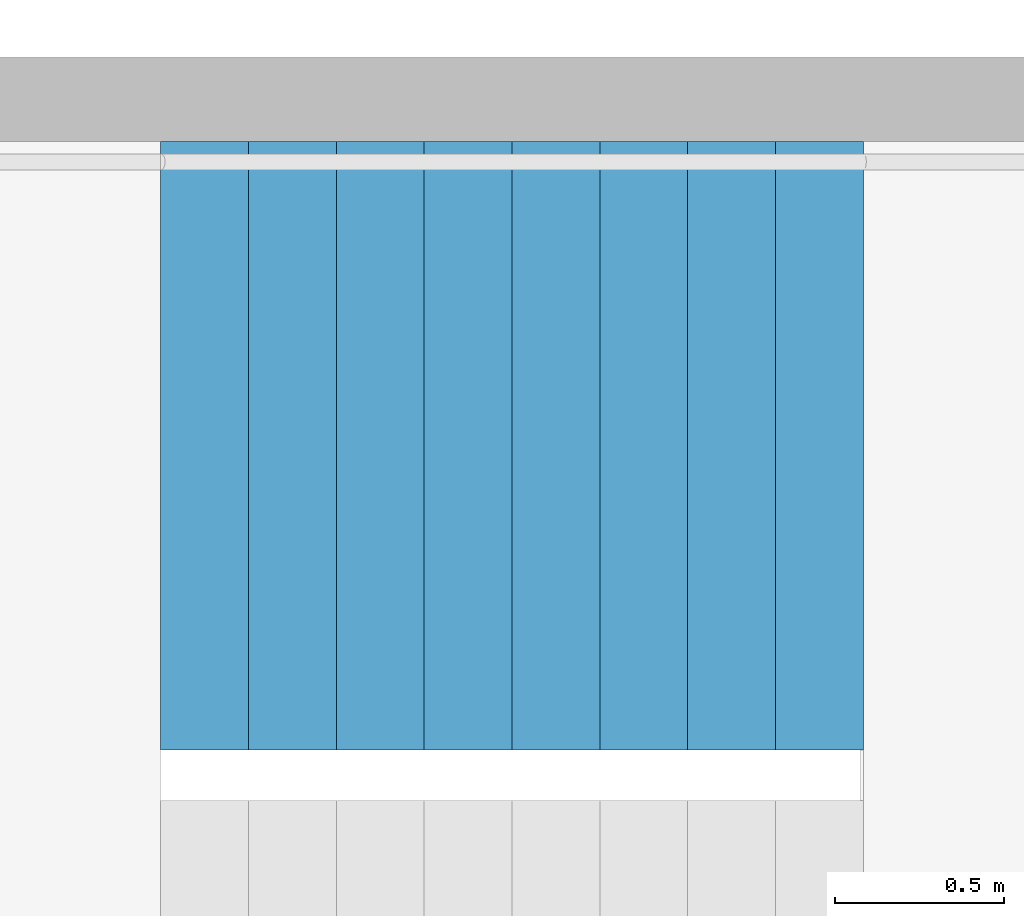
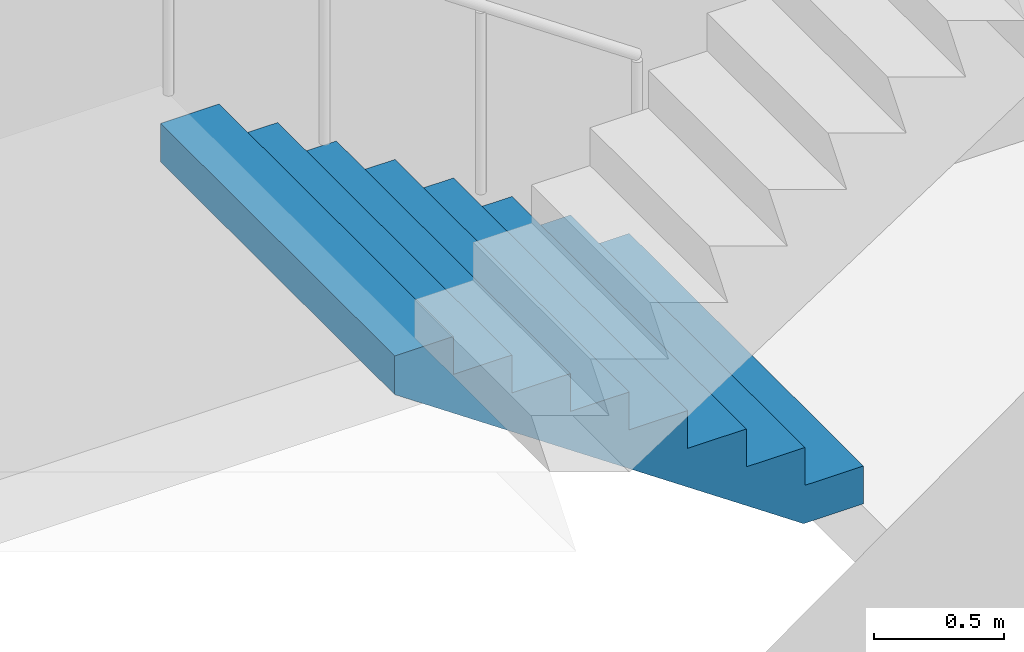
# One storey, part 19 of 44: 1 stair flight, 1 element without a shape of its own.
"""IFC4 building model written with IfcOpenShell, lengths in metres."""

from ifc_helpers import new_model, si_unit, direction, frame, origin, place, context, subcontext, project, spatial, triangles, material, type_object, element, aggregate, save


model = new_model("IFC4")

# Units and contexts
model_context = context("Model", 3, precision=1e-05, world=origin(), true_north=direction((0.0, 1.0)))
body_context = subcontext(model_context, "Body", "Model", "MODEL_VIEW")
ifc_project = project(units=[si_unit("LENGTHUNIT", "METRE"), si_unit("AREAUNIT", "SQUARE_METRE"), si_unit("VOLUMEUNIT", "CUBIC_METRE"), si_unit("PLANEANGLEUNIT", "RADIAN"), si_unit("MASSUNIT", "GRAM", prefix="KILO")], contexts=[model_context])

# Site, building, storey
site_placement = place(None, origin())
site = spatial("IfcSite", under=ifc_project, at=site_placement, CompositionType="ELEMENT")
building_placement = place(site_placement, origin())
building = spatial("IfcBuilding", under=site, at=building_placement, Name="Hakoniwa Tower and Hamabe Station Hall", CompositionType="ELEMENT")
storey_placement = place(building_placement, frame((0.0, 0.0, 69.0)))
storey = spatial("IfcBuildingStorey", under=building, at=storey_placement, Name="L19", CompositionType="ELEMENT", Elevation=69.0)

# Stair, stair flight
ifc_material_1 = material(Name="Concrete C40", Category="concrete")
stair_type = type_object("IfcStairType", Name="ESCAPE STAIR 1800", PredefinedType="HALF_TURN_STAIR", material=ifc_material_1)
stair_placement = place(storey_placement, origin())
stair = element("IfcStair", 1, at=stair_placement, inside=storey, type_object=stair_type, Name="Escape stair ST-2 L19", PredefinedType="HALF_TURN_STAIR")
ifc_material_2 = material(Name="Concrete C40", Category="concrete")
stair_flight_type = type_object("IfcStairFlightType", Name="STAIR FLIGHT 1800", PredefinedType="STRAIGHT", material=ifc_material_2)
stair_flight_placement = place(storey_placement, frame((-23.39990234375, -4.64990234375, 0.0), z_axis=(0.0, 0.0, 1.0), x_axis=(-1.0, 0.0, 0.0)))
stair_flight = element("IfcStairFlight", 2, at=stair_flight_placement, type_object=stair_flight_type, Name="ST-2 flight 1", NumberOfRisers=9, NumberOfTreads=8, PredefinedType="STRAIGHT", RiserHeight=0.177777778, TreadLength=0.26, context=body_context, shape_type="Tessellation", body=[
    triangles([(0.0, 0.89990234375, 0.0), (0.260009765625, 0.89990234375, 0.0), (0.265625, 0.89990234375, 0.0), (0.52001953125, 0.89990234375, 0.174072265625), (0.780029296875, 0.89990234375, 0.351806640625), (1.0400390625, 0.89990234375, 0.529541015625), (1.300048828125, 0.89990234375, 0.707275390625), (1.56005859375, 0.89990234375, 0.885009765625), (1.820068359375, 0.89990234375, 1.062744140625), (2.080078125, 0.89990234375, 1.24072265625), (2.080078125, 0.89990234375, 1.422119140625), (1.820068359375, 0.89990234375, 1.422119140625), (1.820068359375, 0.89990234375, 1.244384765625), (1.56005859375, 0.89990234375, 1.244384765625), (1.56005859375, 0.89990234375, 1.066650390625), (1.300048828125, 0.89990234375, 1.066650390625), (1.300048828125, 0.89990234375, 0.888916015625), (1.0400390625, 0.89990234375, 0.888916015625), (1.0400390625, 0.89990234375, 0.711181640625), (0.780029296875, 0.89990234375, 0.711181640625), (0.780029296875, 0.89990234375, 0.533447265625), (0.52001953125, 0.89990234375, 0.533447265625), (0.52001953125, 0.89990234375, 0.35546875), (0.265625, 0.89990234375, 0.35546875), (0.260009765625, 0.89990234375, 0.35546875), (0.260009765625, 0.89990234375, 0.177734375), (0.0, 0.89990234375, 0.177734375), (0.0, 0.06005859375, 0.0), (0.260009765625, 0.06005859375, 0.0), (0.265625, 0.06005859375, 0.0), (0.52001953125, 0.06005859375, 0.174072265625), (0.780029296875, 0.06005859375, 0.351806640625), (1.0400390625, 0.06005859375, 0.529541015625), (1.300048828125, 0.06005859375, 0.707275390625), (1.56005859375, 0.06005859375, 0.885009765625), (1.820068359375, 0.06005859375, 1.062744140625), (2.080078125, 0.06005859375, 1.24072265625), (2.080078125, 0.06005859375, 1.422119140625), (1.820068359375, 0.06005859375, 1.422119140625), (1.820068359375, 0.06005859375, 1.244384765625), (1.56005859375, 0.06005859375, 1.244384765625), (1.56005859375, 0.06005859375, 1.066650390625), (1.300048828125, 0.06005859375, 1.066650390625), (1.300048828125, 0.06005859375, 0.888916015625), (1.0400390625, 0.06005859375, 0.888916015625), (1.0400390625, 0.06005859375, 0.711181640625), (0.780029296875, 0.06005859375, 0.711181640625), (0.780029296875, 0.06005859375, 0.533447265625), (0.52001953125, 0.06005859375, 0.533447265625), (0.52001953125, 0.06005859375, 0.35546875), (0.265625, 0.06005859375, 0.35546875), (0.260009765625, 0.06005859375, 0.35546875), (0.260009765625, 0.06005859375, 0.177734375), (0.0, 0.06005859375, 0.177734375), (0.0, 0.04296875, 0.0), (0.260009765625, 0.04296875, 0.0), (0.265625, 0.04296875, 0.0), (0.52001953125, 0.04296875, 0.174072265625), (0.780029296875, 0.04296875, 0.351806640625), (1.0400390625, 0.04296875, 0.529541015625), (1.300048828125, 0.04296875, 0.707275390625), (1.56005859375, 0.04296875, 0.885009765625), (1.820068359375, 0.04296875, 1.062744140625), (2.080078125, 0.04296875, 1.24072265625), (2.080078125, 0.04296875, 1.422119140625), (1.820068359375, 0.04296875, 1.422119140625), (1.820068359375, 0.04296875, 1.244384765625), (1.56005859375, 0.04296875, 1.244384765625), (1.56005859375, 0.04296875, 1.066650390625), (1.300048828125, 0.04296875, 1.066650390625), (1.300048828125, 0.04296875, 0.888916015625), (1.0400390625, 0.04296875, 0.888916015625), (1.0400390625, 0.04296875, 0.711181640625), (0.780029296875, 0.04296875, 0.711181640625), (0.780029296875, 0.04296875, 0.533447265625), (0.52001953125, 0.04296875, 0.533447265625), (0.52001953125, 0.04296875, 0.35546875), (0.265625, 0.04296875, 0.35546875), (0.260009765625, 0.04296875, 0.35546875), (0.260009765625, 0.04296875, 0.177734375), (0.0, 0.04296875, 0.177734375), (0.0, 0.025634765625, 0.0), (0.260009765625, 0.025634765625, 0.0), (0.265625, 0.025634765625, 0.0), (0.52001953125, 0.025634765625, 0.174072265625), (0.780029296875, 0.025634765625, 0.351806640625), (1.0400390625, 0.025634765625, 0.529541015625), (1.300048828125, 0.025634765625, 0.707275390625), (1.56005859375, 0.025634765625, 0.885009765625), (1.820068359375, 0.025634765625, 1.062744140625), (2.080078125, 0.025634765625, 1.24072265625), (2.080078125, 0.025634765625, 1.422119140625), (1.820068359375, 0.025634765625, 1.422119140625), (1.820068359375, 0.025634765625, 1.244384765625), (1.56005859375, 0.025634765625, 1.244384765625), (1.56005859375, 0.025634765625, 1.066650390625), (1.300048828125, 0.025634765625, 1.066650390625), (1.300048828125, 0.025634765625, 0.888916015625), (1.0400390625, 0.025634765625, 0.888916015625), (1.0400390625, 0.025634765625, 0.711181640625), (0.780029296875, 0.025634765625, 0.711181640625), (0.780029296875, 0.025634765625, 0.533447265625), (0.52001953125, 0.025634765625, 0.533447265625), (0.52001953125, 0.025634765625, 0.35546875), (0.265625, 0.025634765625, 0.35546875), (0.260009765625, 0.025634765625, 0.35546875), (0.260009765625, 0.025634765625, 0.177734375), (0.0, 0.025634765625, 0.177734375), (0.0, 0.008544921875, 0.0), (0.260009765625, 0.008544921875, 0.0), (0.265625, 0.008544921875, 0.0), (0.52001953125, 0.008544921875, 0.174072265625), (0.780029296875, 0.008544921875, 0.351806640625), (1.0400390625, 0.008544921875, 0.529541015625), (1.300048828125, 0.008544921875, 0.707275390625), (1.56005859375, 0.008544921875, 0.885009765625), (1.820068359375, 0.008544921875, 1.062744140625), (2.080078125, 0.008544921875, 1.24072265625), (2.080078125, 0.008544921875, 1.422119140625), (1.820068359375, 0.008544921875, 1.422119140625), (1.820068359375, 0.008544921875, 1.244384765625), (1.56005859375, 0.008544921875, 1.244384765625), (1.56005859375, 0.008544921875, 1.066650390625), (1.300048828125, 0.008544921875, 1.066650390625), (1.300048828125, 0.008544921875, 0.888916015625), (1.0400390625, 0.008544921875, 0.888916015625), (1.0400390625, 0.008544921875, 0.711181640625), (0.780029296875, 0.008544921875, 0.711181640625), (0.780029296875, 0.008544921875, 0.533447265625), (0.52001953125, 0.008544921875, 0.533447265625), (0.52001953125, 0.008544921875, 0.35546875), (0.265625, 0.008544921875, 0.35546875), (0.260009765625, 0.008544921875, 0.35546875), (0.260009765625, 0.008544921875, 0.177734375), (0.0, 0.008544921875, 0.177734375), (0.0, -0.008544921875, 0.0), (0.260009765625, -0.008544921875, 0.0), (0.265625, -0.008544921875, 0.0), (0.52001953125, -0.008544921875, 0.174072265625), (0.780029296875, -0.008544921875, 0.351806640625), (1.0400390625, -0.008544921875, 0.529541015625), (1.300048828125, -0.008544921875, 0.707275390625), (1.56005859375, -0.008544921875, 0.885009765625), (1.820068359375, -0.008544921875, 1.062744140625), (2.080078125, -0.008544921875, 1.24072265625), (2.080078125, -0.008544921875, 1.422119140625), (1.820068359375, -0.008544921875, 1.422119140625), (1.820068359375, -0.008544921875, 1.244384765625), (1.56005859375, -0.008544921875, 1.244384765625), (1.56005859375, -0.008544921875, 1.066650390625), (1.300048828125, -0.008544921875, 1.066650390625), (1.300048828125, -0.008544921875, 0.888916015625), (1.0400390625, -0.008544921875, 0.888916015625), (1.0400390625, -0.008544921875, 0.711181640625), (0.780029296875, -0.008544921875, 0.711181640625), (0.780029296875, -0.008544921875, 0.533447265625), (0.52001953125, -0.008544921875, 0.533447265625), (0.52001953125, -0.008544921875, 0.35546875), (0.265625, -0.008544921875, 0.35546875), (0.260009765625, -0.008544921875, 0.35546875), (0.260009765625, -0.008544921875, 0.177734375), (0.0, -0.008544921875, 0.177734375), (0.0, -0.025634765625, 0.0), (0.260009765625, -0.025634765625, 0.0), (0.265625, -0.025634765625, 0.0), (0.52001953125, -0.025634765625, 0.174072265625), (0.780029296875, -0.025634765625, 0.351806640625), (1.0400390625, -0.025634765625, 0.529541015625), (1.300048828125, -0.025634765625, 0.707275390625), (1.56005859375, -0.025634765625, 0.885009765625), (1.820068359375, -0.025634765625, 1.062744140625), (2.080078125, -0.025634765625, 1.24072265625), (2.080078125, -0.025634765625, 1.422119140625), (1.820068359375, -0.025634765625, 1.422119140625), (1.820068359375, -0.025634765625, 1.244384765625), (1.56005859375, -0.025634765625, 1.244384765625), (1.56005859375, -0.025634765625, 1.066650390625), (1.300048828125, -0.025634765625, 1.066650390625), (1.300048828125, -0.025634765625, 0.888916015625), (1.0400390625, -0.025634765625, 0.888916015625), (1.0400390625, -0.025634765625, 0.711181640625), (0.780029296875, -0.025634765625, 0.711181640625), (0.780029296875, -0.025634765625, 0.533447265625), (0.52001953125, -0.025634765625, 0.533447265625), (0.52001953125, -0.025634765625, 0.35546875), (0.265625, -0.025634765625, 0.35546875), (0.260009765625, -0.025634765625, 0.35546875), (0.260009765625, -0.025634765625, 0.177734375), (0.0, -0.025634765625, 0.177734375), (0.0, -0.04296875, 0.0), (0.260009765625, -0.04296875, 0.0), (0.265625, -0.04296875, 0.0), (0.52001953125, -0.04296875, 0.174072265625), (0.780029296875, -0.04296875, 0.351806640625), (1.0400390625, -0.04296875, 0.529541015625), (1.300048828125, -0.04296875, 0.707275390625), (1.56005859375, -0.04296875, 0.885009765625), (1.820068359375, -0.04296875, 1.062744140625), (2.080078125, -0.04296875, 1.24072265625), (2.080078125, -0.04296875, 1.422119140625), (1.820068359375, -0.04296875, 1.422119140625), (1.820068359375, -0.04296875, 1.244384765625), (1.56005859375, -0.04296875, 1.244384765625), (1.56005859375, -0.04296875, 1.066650390625), (1.300048828125, -0.04296875, 1.066650390625), (1.300048828125, -0.04296875, 0.888916015625), (1.0400390625, -0.04296875, 0.888916015625), (1.0400390625, -0.04296875, 0.711181640625), (0.780029296875, -0.04296875, 0.711181640625), (0.780029296875, -0.04296875, 0.533447265625), (0.52001953125, -0.04296875, 0.533447265625), (0.52001953125, -0.04296875, 0.35546875), (0.265625, -0.04296875, 0.35546875), (0.260009765625, -0.04296875, 0.35546875), (0.260009765625, -0.04296875, 0.177734375), (0.0, -0.04296875, 0.177734375), (0.0, -0.06005859375, 0.0), (0.260009765625, -0.06005859375, 0.0), (0.265625, -0.06005859375, 0.0), (0.52001953125, -0.06005859375, 0.174072265625), (0.780029296875, -0.06005859375, 0.351806640625), (1.0400390625, -0.06005859375, 0.529541015625), (1.300048828125, -0.06005859375, 0.707275390625), (1.56005859375, -0.06005859375, 0.885009765625), (1.820068359375, -0.06005859375, 1.062744140625), (2.080078125, -0.06005859375, 1.24072265625), (2.080078125, -0.06005859375, 1.422119140625), (1.820068359375, -0.06005859375, 1.422119140625), (1.820068359375, -0.06005859375, 1.244384765625), (1.56005859375, -0.06005859375, 1.244384765625), (1.56005859375, -0.06005859375, 1.066650390625), (1.300048828125, -0.06005859375, 1.066650390625), (1.300048828125, -0.06005859375, 0.888916015625), (1.0400390625, -0.06005859375, 0.888916015625), (1.0400390625, -0.06005859375, 0.711181640625), (0.780029296875, -0.06005859375, 0.711181640625), (0.780029296875, -0.06005859375, 0.533447265625), (0.52001953125, -0.06005859375, 0.533447265625), (0.52001953125, -0.06005859375, 0.35546875), (0.265625, -0.06005859375, 0.35546875), (0.260009765625, -0.06005859375, 0.35546875), (0.260009765625, -0.06005859375, 0.177734375), (0.0, -0.06005859375, 0.177734375), (0.0, -0.89990234375, 0.0), (0.260009765625, -0.89990234375, 0.0), (0.265625, -0.89990234375, 0.0), (0.52001953125, -0.89990234375, 0.174072265625), (0.780029296875, -0.89990234375, 0.351806640625), (1.0400390625, -0.89990234375, 0.529541015625), (1.300048828125, -0.89990234375, 0.707275390625), (1.56005859375, -0.89990234375, 0.885009765625), (1.820068359375, -0.89990234375, 1.062744140625), (2.080078125, -0.89990234375, 1.24072265625), (2.080078125, -0.89990234375, 1.422119140625), (1.820068359375, -0.89990234375, 1.422119140625), (1.820068359375, -0.89990234375, 1.244384765625), (1.56005859375, -0.89990234375, 1.244384765625), (1.56005859375, -0.89990234375, 1.066650390625), (1.300048828125, -0.89990234375, 1.066650390625), (1.300048828125, -0.89990234375, 0.888916015625), (1.0400390625, -0.89990234375, 0.888916015625), (1.0400390625, -0.89990234375, 0.711181640625), (0.780029296875, -0.89990234375, 0.711181640625), (0.780029296875, -0.89990234375, 0.533447265625), (0.52001953125, -0.89990234375, 0.533447265625), (0.52001953125, -0.89990234375, 0.35546875), (0.265625, -0.89990234375, 0.35546875), (0.260009765625, -0.89990234375, 0.35546875), (0.260009765625, -0.89990234375, 0.177734375), (0.0, -0.89990234375, 0.177734375)], [[2, 27, 26], [245, 269, 270], [2, 1, 27], [245, 270, 244], [3, 25, 24], [246, 267, 268], [3, 26, 25], [246, 268, 269], [3, 2, 26], [246, 269, 245], [4, 24, 23], [247, 266, 267], [4, 3, 24], [247, 267, 246], [5, 22, 21], [248, 264, 265], [5, 23, 22], [248, 265, 266], [5, 4, 23], [248, 266, 247], [6, 20, 19], [249, 262, 263], [6, 21, 20], [249, 263, 264], [6, 5, 21], [249, 264, 248], [7, 18, 17], [250, 260, 261], [7, 19, 18], [250, 261, 262], [7, 6, 19], [250, 262, 249], [8, 16, 15], [251, 258, 259], [8, 17, 16], [251, 259, 260], [8, 7, 17], [251, 260, 250], [9, 14, 13], [252, 256, 257], [9, 15, 14], [252, 257, 258], [9, 8, 15], [252, 258, 251], [10, 12, 11], [253, 254, 255], [10, 13, 12], [253, 255, 256], [10, 9, 13], [253, 256, 252], [1, 2, 29], [1, 29, 28], [28, 29, 56], [28, 56, 55], [55, 56, 83], [55, 83, 82], [82, 83, 110], [82, 110, 109], [109, 110, 137], [109, 137, 136], [136, 137, 164], [136, 164, 163], [163, 164, 191], [163, 191, 190], [190, 191, 218], [190, 218, 217], [217, 218, 245], [217, 245, 244], [2, 3, 30], [2, 30, 29], [29, 30, 57], [29, 57, 56], [56, 57, 84], [56, 84, 83], [83, 84, 111], [83, 111, 110], [110, 111, 138], [110, 138, 137], [137, 138, 165], [137, 165, 164], [164, 165, 192], [164, 192, 191], [191, 192, 219], [191, 219, 218], [218, 219, 246], [218, 246, 245], [3, 4, 31], [3, 31, 30], [30, 31, 58], [30, 58, 57], [57, 58, 85], [57, 85, 84], [84, 85, 112], [84, 112, 111], [111, 112, 139], [111, 139, 138], [138, 139, 166], [138, 166, 165], [165, 166, 193], [165, 193, 192], [192, 193, 220], [192, 220, 219], [219, 220, 247], [219, 247, 246], [4, 5, 32], [4, 32, 31], [31, 32, 59], [31, 59, 58], [58, 59, 86], [58, 86, 85], [85, 86, 113], [85, 113, 112], [112, 113, 140], [112, 140, 139], [139, 140, 167], [139, 167, 166], [166, 167, 194], [166, 194, 193], [193, 194, 221], [193, 221, 220], [220, 221, 248], [220, 248, 247], [5, 6, 33], [5, 33, 32], [32, 33, 60], [32, 60, 59], [59, 60, 87], [59, 87, 86], [86, 87, 114], [86, 114, 113], [113, 114, 141], [113, 141, 140], [140, 141, 168], [140, 168, 167], [167, 168, 195], [167, 195, 194], [194, 195, 222], [194, 222, 221], [221, 222, 249], [221, 249, 248], [6, 7, 34], [6, 34, 33], [33, 34, 61], [33, 61, 60], [60, 61, 88], [60, 88, 87], [87, 88, 115], [87, 115, 114], [114, 115, 142], [114, 142, 141], [141, 142, 169], [141, 169, 168], [168, 169, 196], [168, 196, 195], [195, 196, 223], [195, 223, 222], [222, 223, 250], [222, 250, 249], [7, 8, 35], [7, 35, 34], [34, 35, 62], [34, 62, 61], [61, 62, 89], [61, 89, 88], [88, 89, 116], [88, 116, 115], [115, 116, 143], [115, 143, 142], [142, 143, 170], [142, 170, 169], [169, 170, 197], [169, 197, 196], [196, 197, 224], [196, 224, 223], [223, 224, 251], [223, 251, 250], [8, 9, 36], [8, 36, 35], [35, 36, 63], [35, 63, 62], [62, 63, 90], [62, 90, 89], [89, 90, 117], [89, 117, 116], [116, 117, 144], [116, 144, 143], [143, 144, 171], [143, 171, 170], [170, 171, 198], [170, 198, 197], [197, 198, 225], [197, 225, 224], [224, 225, 252], [224, 252, 251], [9, 10, 37], [9, 37, 36], [36, 37, 64], [36, 64, 63], [63, 64, 91], [63, 91, 90], [90, 91, 118], [90, 118, 117], [117, 118, 145], [117, 145, 144], [144, 145, 172], [144, 172, 171], [171, 172, 199], [171, 199, 198], [198, 199, 226], [198, 226, 225], [225, 226, 253], [225, 253, 252], [10, 11, 38], [10, 38, 37], [37, 38, 65], [37, 65, 64], [64, 65, 92], [64, 92, 91], [91, 92, 119], [91, 119, 118], [118, 119, 146], [118, 146, 145], [145, 146, 173], [145, 173, 172], [172, 173, 200], [172, 200, 199], [199, 200, 227], [199, 227, 226], [226, 227, 254], [226, 254, 253], [11, 12, 39], [11, 39, 38], [38, 39, 66], [38, 66, 65], [65, 66, 93], [65, 93, 92], [92, 93, 120], [92, 120, 119], [119, 120, 147], [119, 147, 146], [146, 147, 174], [146, 174, 173], [173, 174, 201], [173, 201, 200], [200, 201, 228], [200, 228, 227], [227, 228, 255], [227, 255, 254], [12, 13, 40], [12, 40, 39], [39, 40, 67], [39, 67, 66], [66, 67, 94], [66, 94, 93], [93, 94, 121], [93, 121, 120], [120, 121, 148], [120, 148, 147], [147, 148, 175], [147, 175, 174], [174, 175, 202], [174, 202, 201], [201, 202, 229], [201, 229, 228], [228, 229, 256], [228, 256, 255], [13, 14, 41], [13, 41, 40], [40, 41, 68], [40, 68, 67], [67, 68, 95], [67, 95, 94], [94, 95, 122], [94, 122, 121], [121, 122, 149], [121, 149, 148], [148, 149, 176], [148, 176, 175], [175, 176, 203], [175, 203, 202], [202, 203, 230], [202, 230, 229], [229, 230, 257], [229, 257, 256], [14, 15, 42], [14, 42, 41], [41, 42, 69], [41, 69, 68], [68, 69, 96], [68, 96, 95], [95, 96, 123], [95, 123, 122], [122, 123, 150], [122, 150, 149], [149, 150, 177], [149, 177, 176], [176, 177, 204], [176, 204, 203], [203, 204, 231], [203, 231, 230], [230, 231, 258], [230, 258, 257], [15, 16, 43], [15, 43, 42], [42, 43, 70], [42, 70, 69], [69, 70, 97], [69, 97, 96], [96, 97, 124], [96, 124, 123], [123, 124, 151], [123, 151, 150], [150, 151, 178], [150, 178, 177], [177, 178, 205], [177, 205, 204], [204, 205, 232], [204, 232, 231], [231, 232, 259], [231, 259, 258], [16, 17, 44], [16, 44, 43], [43, 44, 71], [43, 71, 70], [70, 71, 98], [70, 98, 97], [97, 98, 125], [97, 125, 124], [124, 125, 152], [124, 152, 151], [151, 152, 179], [151, 179, 178], [178, 179, 206], [178, 206, 205], [205, 206, 233], [205, 233, 232], [232, 233, 260], [232, 260, 259], [17, 18, 45], [17, 45, 44], [44, 45, 72], [44, 72, 71], [71, 72, 99], [71, 99, 98], [98, 99, 126], [98, 126, 125], [125, 126, 153], [125, 153, 152], [152, 153, 180], [152, 180, 179], [179, 180, 207], [179, 207, 206], [206, 207, 234], [206, 234, 233], [233, 234, 261], [233, 261, 260], [18, 19, 46], [18, 46, 45], [45, 46, 73], [45, 73, 72], [72, 73, 100], [72, 100, 99], [99, 100, 127], [99, 127, 126], [126, 127, 154], [126, 154, 153], [153, 154, 181], [153, 181, 180], [180, 181, 208], [180, 208, 207], [207, 208, 235], [207, 235, 234], [234, 235, 262], [234, 262, 261], [19, 20, 47], [19, 47, 46], [46, 47, 74], [46, 74, 73], [73, 74, 101], [73, 101, 100], [100, 101, 128], [100, 128, 127], [127, 128, 155], [127, 155, 154], [154, 155, 182], [154, 182, 181], [181, 182, 209], [181, 209, 208], [208, 209, 236], [208, 236, 235], [235, 236, 263], [235, 263, 262], [20, 21, 48], [20, 48, 47], [47, 48, 75], [47, 75, 74], [74, 75, 102], [74, 102, 101], [101, 102, 129], [101, 129, 128], [128, 129, 156], [128, 156, 155], [155, 156, 183], [155, 183, 182], [182, 183, 210], [182, 210, 209], [209, 210, 237], [209, 237, 236], [236, 237, 264], [236, 264, 263], [21, 22, 49], [21, 49, 48], [48, 49, 76], [48, 76, 75], [75, 76, 103], [75, 103, 102], [102, 103, 130], [102, 130, 129], [129, 130, 157], [129, 157, 156], [156, 157, 184], [156, 184, 183], [183, 184, 211], [183, 211, 210], [210, 211, 238], [210, 238, 237], [237, 238, 265], [237, 265, 264], [22, 23, 50], [22, 50, 49], [49, 50, 77], [49, 77, 76], [76, 77, 104], [76, 104, 103], [103, 104, 131], [103, 131, 130], [130, 131, 158], [130, 158, 157], [157, 158, 185], [157, 185, 184], [184, 185, 212], [184, 212, 211], [211, 212, 239], [211, 239, 238], [238, 239, 266], [238, 266, 265], [23, 24, 51], [23, 51, 50], [50, 51, 78], [50, 78, 77], [77, 78, 105], [77, 105, 104], [104, 105, 132], [104, 132, 131], [131, 132, 159], [131, 159, 158], [158, 159, 186], [158, 186, 185], [185, 186, 213], [185, 213, 212], [212, 213, 240], [212, 240, 239], [239, 240, 267], [239, 267, 266], [24, 25, 52], [24, 52, 51], [51, 52, 79], [51, 79, 78], [78, 79, 106], [78, 106, 105], [105, 106, 133], [105, 133, 132], [132, 133, 160], [132, 160, 159], [159, 160, 187], [159, 187, 186], [186, 187, 214], [186, 214, 213], [213, 214, 241], [213, 241, 240], [240, 241, 268], [240, 268, 267], [25, 26, 53], [25, 53, 52], [52, 53, 80], [52, 80, 79], [79, 80, 107], [79, 107, 106], [106, 107, 134], [106, 134, 133], [133, 134, 161], [133, 161, 160], [160, 161, 188], [160, 188, 187], [187, 188, 215], [187, 215, 214], [214, 215, 242], [214, 242, 241], [241, 242, 269], [241, 269, 268], [26, 27, 54], [26, 54, 53], [53, 54, 81], [53, 81, 80], [80, 81, 108], [80, 108, 107], [107, 108, 135], [107, 135, 134], [134, 135, 162], [134, 162, 161], [161, 162, 189], [161, 189, 188], [188, 189, 216], [188, 216, 215], [215, 216, 243], [215, 243, 242], [242, 243, 270], [242, 270, 269], [27, 1, 28], [27, 28, 54], [54, 28, 55], [54, 55, 81], [81, 55, 82], [81, 82, 108], [108, 82, 109], [108, 109, 135], [135, 109, 136], [135, 136, 162], [162, 136, 163], [162, 163, 189], [189, 163, 190], [189, 190, 216], [216, 190, 217], [216, 217, 243], [243, 217, 244], [243, 244, 270]], closed=True),
])
aggregate(stair, [stair_flight])

save(model, "model.ifc")
